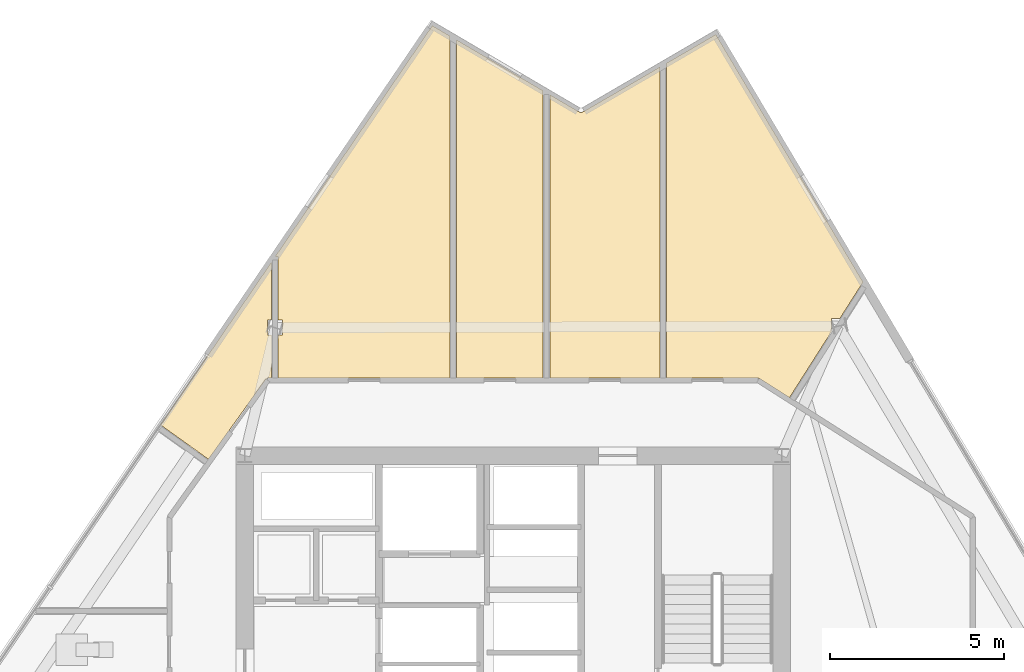
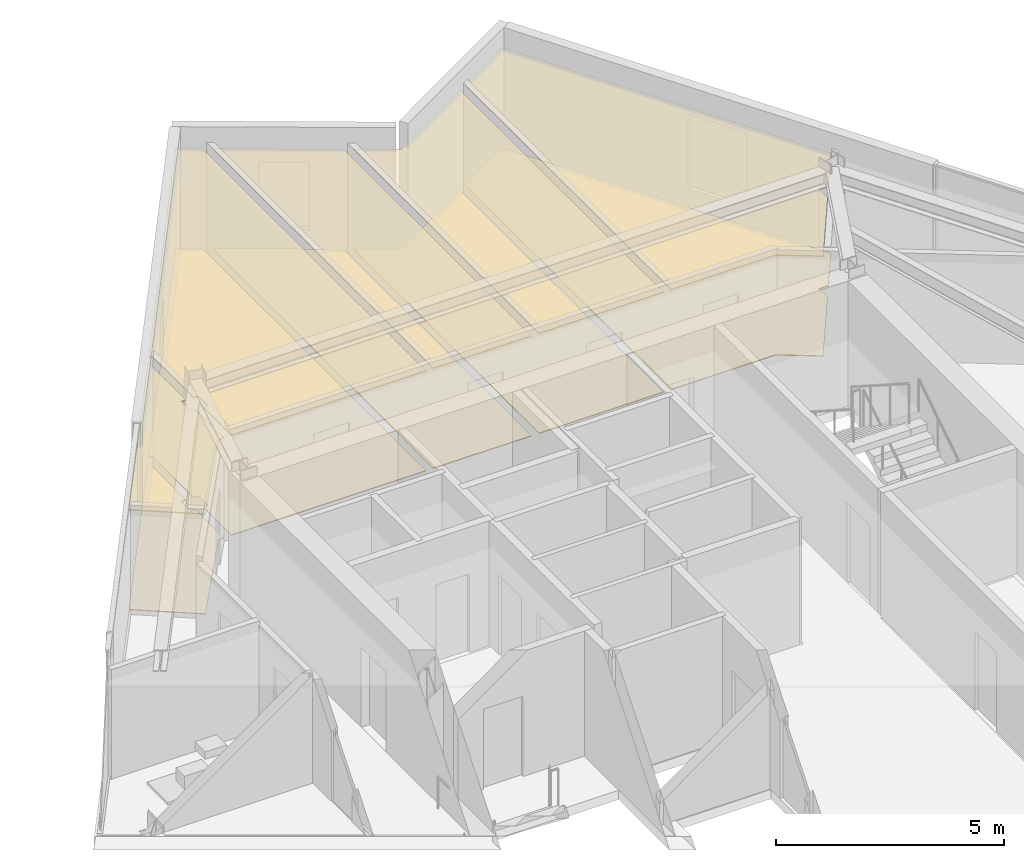
# One storey, part 15 of 16: 10 coverings.
"""IFC4 building model written with IfcOpenShell, lengths in metres."""

import ifcopenshell
import ifcopenshell.guid

model = None  # the IFC model being written
_history = None  # IfcOwnerHistory: only IFC2X3 demands one
_inside = {}  # id of a spatial element -> (the spatial element, [elements in it])
_under = {}  # id of a project, library or spatial element -> (it, [spatial elements below it])
_declared = {}  # id of a project -> (the project, [libraries it declares])
_typed = {}  # id of a type object -> (the type object, [elements of that type])
_made_of = {}  # id of a material, layer set ... -> (it, [elements and type objects made of it])


def new_model(schema):
    """Start an empty IFC model of exactly this schema.

    Asked for "IFC4X3", IfcOpenShell would pick the latest addendum, in which some entities
    have other attributes; the version numbers below select the first issue.
    IFC2X3 requires an IfcOwnerHistory on every rooted entity: one is made here for all.
    """
    global model, _history
    if schema == "IFC4X3":
        model = ifcopenshell.file(schema_version=(4, 3, 0, 0))
    else:
        model = ifcopenshell.file(schema=schema)
    _inside.clear()
    _under.clear()
    _declared.clear()
    _typed.clear()
    _made_of.clear()
    _history = None
    if model.schema == "IFC2X3":
        org = make("IfcOrganization", Name="unknown")
        user = make(
            "IfcPersonAndOrganization",
            ThePerson=make("IfcPerson", FamilyName="unknown"),
            TheOrganization=org,
        )
        app = make(
            "IfcApplication",
            ApplicationDeveloper=org,
            Version="unknown",
            ApplicationFullName="unknown",
            ApplicationIdentifier="unknown",
        )
        _history = make(
            "IfcOwnerHistory",
            OwningUser=user,
            OwningApplication=app,
            ChangeAction="ADDED",
            CreationDate=0,
        )
    return model


def make(cls, **values):
    """One entity of the class cls with the attributes given. An attribute that is None is left unset."""
    return model.create_entity(
        cls, **{name: value for name, value in values.items() if value is not None}
    )


def rooted(cls, **values):
    """An entity with a GlobalId (a new one), such as an element, a storey or a relation."""
    return make(cls, GlobalId=ifcopenshell.guid.new(), OwnerHistory=_history, **values)


def si_unit(unit_type, name, prefix=None):
    """IfcSIUnit, for example si_unit("LENGTHUNIT", "METRE", prefix="MILLI")."""
    return make("IfcSIUnit", UnitType=unit_type, Prefix=prefix, Name=name)


def assignment(units):
    """IfcUnitAssignment: the units of a project."""
    return None if units is None else make("IfcUnitAssignment", Units=units)


def point(xyz):
    """IfcCartesianPoint."""
    return None if xyz is None else make("IfcCartesianPoint", Coordinates=xyz)


def direction(xyz):
    """IfcDirection."""
    return None if xyz is None else make("IfcDirection", DirectionRatios=xyz)


def frame(location, z_axis=None, x_axis=None):
    """IfcAxis2Placement3D, a coordinate frame: its origin and axes. An axis left out is left unset."""
    return make(
        "IfcAxis2Placement3D",
        Location=point(location),
        Axis=direction(z_axis),
        RefDirection=direction(x_axis),
    )


def origin():
    """The frame at (0, 0, 0) with its axes left unset."""
    return frame((0.0, 0.0, 0.0))


def place(relative_to, where):
    """IfcLocalPlacement: puts the frame where relative to a parent placement (None: the world)."""
    return make(
        "IfcLocalPlacement", PlacementRelTo=relative_to, RelativePlacement=where
    )


def context(
    kind, dimensions, precision=None, world=None, true_north=None, identifier=None
):
    """IfcGeometricRepresentationContext, for example the 3D "Model" context."""
    return make(
        "IfcGeometricRepresentationContext",
        ContextIdentifier=identifier,
        ContextType=kind,
        CoordinateSpaceDimension=dimensions,
        Precision=precision,
        WorldCoordinateSystem=world,
        TrueNorth=true_north,
    )


def subcontext(parent, identifier, kind, view, scale=None):
    """IfcGeometricRepresentationSubContext, for example "Body" below "Model"."""
    return make(
        "IfcGeometricRepresentationSubContext",
        ContextIdentifier=identifier,
        ContextType=kind,
        ParentContext=parent,
        TargetScale=scale,
        TargetView=view,
    )


def project(units=None, contexts=None):
    """IfcProject with its units and contexts."""
    return rooted(
        "IfcProject",
        Name="project",
        RepresentationContexts=contexts,
        UnitsInContext=assignment(units),
    )


def spatial(cls, under=None, at=None, **own):
    """A site, building, storey or space (cls), placed at a placement, below another one or the project."""
    s = rooted(cls, ObjectPlacement=at, **own)
    if under is not None:
        _under.setdefault(under.id(), (under, []))[1].append(s)
    return s


def polyline(points):
    """IfcPolyline through the points."""
    return make("IfcPolyline", Points=[point(p) for p in points])


def outline(outer, holes=None, kind="AREA"):
    """IfcArbitraryClosedProfileDef: a profile drawn as a closed curve; with holes, ...WithVoids."""
    if holes is None:
        return make("IfcArbitraryClosedProfileDef", ProfileType=kind, OuterCurve=outer)
    return make(
        "IfcArbitraryProfileDefWithVoids",
        ProfileType=kind,
        OuterCurve=outer,
        InnerCurves=holes,
    )


def extrude(swept, where, along, depth):
    """IfcExtrudedAreaSolid: the profile swept, set in the frame where, extruded along a direction by depth."""
    return make(
        "IfcExtrudedAreaSolid",
        SweptArea=swept,
        Position=where,
        ExtrudedDirection=direction(along),
        Depth=depth,
    )


def shape(context_of_items, identifier, shape_type, items):
    """IfcShapeRepresentation: the items that make up one representation, for example the "Body"."""
    return make(
        "IfcShapeRepresentation",
        ContextOfItems=context_of_items,
        RepresentationIdentifier=identifier,
        RepresentationType=shape_type,
        Items=items,
    )


def material(Name=None, Category=None):
    """IfcMaterial."""
    return make("IfcMaterial", Name=Name, Category=Category)


def layer(
    of_material, thickness, ventilated=None, Name=None, Category=None, Priority=None
):
    """IfcMaterialLayer: one layer of a wall or slab, of a material (None: an air gap)."""
    return make(
        "IfcMaterialLayer",
        Material=of_material,
        LayerThickness=thickness,
        IsVentilated=ventilated,
        Name=Name,
        Category=Category,
        Priority=Priority,
    )


def layer_set(layers, Name=None):
    """IfcMaterialLayerSet."""
    return make("IfcMaterialLayerSet", MaterialLayers=layers, LayerSetName=Name)


def made_of(thing, what):
    """Note that an element or type object is made of a material, layer set ...; save() writes the relation."""
    if what is not None:
        _made_of.setdefault(what.id(), (what, []))[1].append(thing)
    return thing


def type_object(cls, material=None, **own):
    """A type object (cls), such as IfcWallType, which elements share."""
    return made_of(rooted(cls, **own), material)


def element(
    cls,
    number,
    at=None,
    inside=None,
    cuts=None,
    type_object=None,
    material=None,
    context=None,
    identifier="Body",
    shape_type=None,
    held_by="IfcProductDefinitionShape",
    body=None,
    shapes=None,
    **own,
):
    """One element of the class cls, such as IfcWall. Its Tag is "e" and its number.

    at: its placement. inside: the storey or other place that contains it. cuts: it is an
    opening in that element (IfcRelVoidsElement). A single representation is given by context,
    identifier, shape_type and body (its items); several are given by shapes. held_by: the class
    of the entity that holds the representations. save() writes the other relations.
    """
    e = rooted(cls, Tag="e%d" % number, ObjectPlacement=at, **own)
    if body is not None:
        shapes = [shape(context, identifier, shape_type, body)]
    if shapes is not None:
        e.Representation = make(held_by, Representations=shapes)
    if inside is not None:
        _inside.setdefault(inside.id(), (inside, []))[1].append(e)
    if cuts is not None:
        rooted(
            "IfcRelVoidsElement", RelatingBuildingElement=cuts, RelatedOpeningElement=e
        )
    if type_object is not None:
        _typed.setdefault(type_object.id(), (type_object, []))[1].append(e)
    return made_of(e, material)


def aggregate(whole, parts):
    """IfcRelAggregates: a whole, such as a stair, and the parts it consists of."""
    return rooted("IfcRelAggregates", RelatingObject=whole, RelatedObjects=parts)


def save(model, path):
    """Write the relations noted so far, then the file.

    IfcRelAggregates (storeys below a building ...), IfcRelContainedInSpatialStructure (elements
    in a storey), IfcRelDefinesByType, IfcRelAssociatesMaterial and IfcRelDeclares: one each for
    every whole, place, type object, material and project.
    """
    for whole, parts in _under.values():
        aggregate(whole, parts)
    for where, things in _inside.values():
        rooted(
            "IfcRelContainedInSpatialStructure",
            RelatedElements=things,
            RelatingStructure=where,
        )
    for kind, things in _typed.values():
        rooted("IfcRelDefinesByType", RelatedObjects=things, RelatingType=kind)
    for what, things in _made_of.values():
        rooted("IfcRelAssociatesMaterial", RelatedObjects=things, RelatingMaterial=what)
    for by, libraries in _declared.values():
        rooted("IfcRelDeclares", RelatingContext=by, RelatedDefinitions=libraries)
    model.write(path)


model = new_model("IFC4")

# Units and contexts
model_context = context("Model", 3, precision=1e-05, world=origin(), true_north=direction((0.0, 1.0)))
body_context = subcontext(model_context, "Body", "Model", "MODEL_VIEW")
ifc_project = project(units=[si_unit("LENGTHUNIT", "METRE"), si_unit("AREAUNIT", "SQUARE_METRE"), si_unit("VOLUMEUNIT", "CUBIC_METRE"), si_unit("PLANEANGLEUNIT", "RADIAN"), si_unit("MASSUNIT", "GRAM", prefix="KILO")], contexts=[model_context])

# Site, building, storey
site_placement = place(None, origin())
site = spatial("IfcSite", under=ifc_project, at=site_placement, CompositionType="ELEMENT")
building_placement = place(site_placement, origin())
building = spatial("IfcBuilding", under=site, at=building_placement, Name="Savorim Split Tower", CompositionType="ELEMENT")
storey_placement = place(building_placement, frame((0.0, 0.0, 160.199951171875)))
storey = spatial("IfcBuildingStorey", under=building, at=storey_placement, Name="L42", CompositionType="ELEMENT", Elevation=160.199951171875)

# Coverings
ifc_material_1 = material(Name="Mineral Fibre Acoustic Ceiling")
ifc_layer_1 = layer(ifc_material_1, 0.02490234375)
ifc_layer_set_1 = layer_set([ifc_layer_1], Name="COV-CEIL-25")
covering_type_1 = type_object("IfcCoveringType", Name="COV-CEIL-25", PredefinedType="CEILING", material=ifc_layer_set_1)
covering_1_placement = place(storey_placement, frame((0.0, 0.0, 2.670166015625)))
element("IfcCovering", 1, at=covering_1_placement, inside=storey, type_object=covering_type_1, Name="L42 Quiet Study Room Acoustic Ceiling", PredefinedType="CEILING", context=body_context, shape_type="SweptSolid", body=[
    extrude(outline(polyline([(10.02734375, 15.1689453125), (10.04248046875, 15.1591796875), (5.81005859375, 22.27734375), (4.39306640625, 21.451416015625), (4.39306640625, 12.419921875), (7.0, 12.419921875), (7.01318359375, 12.41943359375), (7.0263671875, 12.41748046875), (7.0390625, 12.414306640625), (7.051513671875, 12.41015625), (7.063720703125, 12.40478515625), (7.0751953125, 12.398193359375), (7.92236328125, 11.859375), (9.131103515625, 13.760009765625), (9.131103515625, 14.129638671875), (9.366455078125, 14.129638671875), (9.976318359375, 15.0888671875), (10.02734375, 15.1689453125)])), origin(), (0.0, 0.0, 1.0), 0.02490234375),
])
covering_2_placement = place(storey_placement, frame((0.0, 0.0, 2.670166015625)))
element("IfcCovering", 2, at=covering_2_placement, inside=storey, type_object=covering_type_1, Name="L42 Quiet Study Room Acoustic Ceiling", PredefinedType="CEILING", context=body_context, shape_type="SweptSolid", body=[
    extrude(outline(polyline([(1.90380859375, 20.049560546875), (1.89306640625, 20.053955078125), (1.8828125, 20.059326171875), (1.048583984375, 20.5498046875), (1.048583984375, 12.419921875), (4.203125, 12.419921875), (4.203125, 21.3408203125), (2.00390625, 20.05908203125), (1.993896484375, 20.0537109375), (1.983154296875, 20.049560546875), (1.971923828125, 20.046142578125), (1.960693359375, 20.0439453125), (1.94921875, 20.04296875), (1.9375, 20.04296875), (1.926025390625, 20.044189453125), (1.914794921875, 20.04638671875), (1.90380859375, 20.049560546875)])), origin(), (0.0, 0.0, 1.0), 0.02490234375),
])
covering_3_placement = place(storey_placement, frame((0.0, 0.0, 2.670166015625)))
element("IfcCovering", 3, at=covering_3_placement, inside=storey, type_object=covering_type_1, Name="L42 Quiet Study Room Acoustic Ceiling", PredefinedType="CEILING", context=body_context, shape_type="SweptSolid", body=[
    extrude(outline(polyline([(-1.6220703125, 12.419921875), (0.8583984375, 12.419921875), (0.8583984375, 20.661376953125), (-1.6220703125, 22.119140625), (-1.6220703125, 12.419921875)])), origin(), (0.0, 0.0, 1.0), 0.02490234375),
])
covering_4_placement = place(storey_placement, frame((0.0, 0.0, 2.670166015625)))
element("IfcCovering", 4, at=covering_4_placement, inside=storey, type_object=covering_type_1, Name="L42 Quiet Study Room Acoustic Ceiling", PredefinedType="CEILING", context=body_context, shape_type="SweptSolid", body=[
    extrude(outline(polyline([(-6.740478515625, 12.419921875), (-1.81201171875, 12.419921875), (-1.81201171875, 22.23095703125), (-2.322021484375, 22.530517578125), (-6.831298828125, 15.90185546875), (-6.740478515625, 15.90185546875), (-6.740478515625, 14.080810546875), (-6.62353515625, 14.080810546875), (-6.62353515625, 13.65380859375), (-6.740478515625, 13.65380859375), (-6.740478515625, 12.419921875)])), origin(), (0.0, 0.0, 1.0), 0.02490234375),
])
covering_5_placement = place(storey_placement, frame((0.0, 0.0, 2.670166015625)))
element("IfcCovering", 5, at=covering_5_placement, inside=storey, type_object=covering_type_1, Name="L42 Quiet Study Room Acoustic Ceiling", PredefinedType="CEILING", context=body_context, shape_type="SweptSolid", body=[
    extrude(outline(polyline([(-7.01318359375, 12.41943359375), (-7.0, 12.419921875), (-6.9306640625, 12.419921875), (-6.9306640625, 13.65380859375), (-7.047607421875, 13.65380859375), (-7.047607421875, 14.080810546875), (-6.9306640625, 14.080810546875), (-6.9306640625, 15.756103515625), (-10.11328125, 11.07763671875), (-8.739013671875, 10.093017578125), (-7.11376953125, 12.361572265625), (-7.105712890625, 12.3720703125), (-7.096435546875, 12.381591796875), (-7.086181640625, 12.39013671875), (-7.075439453125, 12.39794921875), (-7.06396484375, 12.404541015625), (-7.052001953125, 12.409912109375), (-7.039306640625, 12.414306640625), (-7.0263671875, 12.41748046875), (-7.01318359375, 12.41943359375)])), origin(), (0.0, 0.0, 1.0), 0.02490234375),
])
ifc_material_2 = material(Name="Porcelain Stoneware Flooring", Category="masonry")
ifc_layer_2 = layer(ifc_material_2, 0.02001953125)
ifc_layer_set_2 = layer_set([ifc_layer_2], Name="COV-FLOR-20")
covering_type_2 = type_object("IfcCoveringType", Name="COV-FLOR-20", PredefinedType="FLOORING", material=ifc_layer_set_2)
covering_6_placement = place(storey_placement, origin())
element("IfcCovering", 6, at=covering_6_placement, inside=storey, type_object=covering_type_2, Name="L42 Quiet Study Room Porcelain Flooring", PredefinedType="FLOORING", context=body_context, shape_type="SweptSolid", body=[
    extrude(outline(polyline([(10.02734375, 15.1689453125), (10.04248046875, 15.1591796875), (5.81005859375, 22.27734375), (4.39306640625, 21.451416015625), (4.39306640625, 12.419921875), (7.0, 12.419921875), (7.01318359375, 12.41943359375), (7.0263671875, 12.41748046875), (7.0390625, 12.414306640625), (7.051513671875, 12.41015625), (7.063720703125, 12.40478515625), (7.0751953125, 12.398193359375), (7.92236328125, 11.859375), (9.131103515625, 13.760009765625), (9.131103515625, 14.129638671875), (9.366455078125, 14.129638671875), (9.976318359375, 15.0888671875), (10.02734375, 15.1689453125)])), origin(), (0.0, 0.0, 1.0), 0.02001953125),
])
covering_7_placement = place(storey_placement, origin())
element("IfcCovering", 7, at=covering_7_placement, inside=storey, type_object=covering_type_2, Name="L42 Quiet Study Room Porcelain Flooring", PredefinedType="FLOORING", context=body_context, shape_type="SweptSolid", body=[
    extrude(outline(polyline([(1.90380859375, 20.049560546875), (1.89306640625, 20.053955078125), (1.8828125, 20.059326171875), (1.048583984375, 20.5498046875), (1.048583984375, 12.419921875), (4.203125, 12.419921875), (4.203125, 21.3408203125), (2.00390625, 20.05908203125), (1.993896484375, 20.0537109375), (1.983154296875, 20.049560546875), (1.971923828125, 20.046142578125), (1.960693359375, 20.0439453125), (1.94921875, 20.04296875), (1.9375, 20.04296875), (1.926025390625, 20.044189453125), (1.914794921875, 20.04638671875), (1.90380859375, 20.049560546875)])), origin(), (0.0, 0.0, 1.0), 0.02001953125),
])
covering_8_placement = place(storey_placement, origin())
element("IfcCovering", 8, at=covering_8_placement, inside=storey, type_object=covering_type_2, Name="L42 Quiet Study Room Porcelain Flooring", PredefinedType="FLOORING", context=body_context, shape_type="SweptSolid", body=[
    extrude(outline(polyline([(-1.6220703125, 12.419921875), (0.8583984375, 12.419921875), (0.8583984375, 20.661376953125), (-1.6220703125, 22.119140625), (-1.6220703125, 12.419921875)])), origin(), (0.0, 0.0, 1.0), 0.02001953125),
])
covering_9_placement = place(storey_placement, origin())
element("IfcCovering", 9, at=covering_9_placement, inside=storey, type_object=covering_type_2, Name="L42 Quiet Study Room Porcelain Flooring", PredefinedType="FLOORING", context=body_context, shape_type="SweptSolid", body=[
    extrude(outline(polyline([(-6.740478515625, 12.419921875), (-1.81201171875, 12.419921875), (-1.81201171875, 22.23095703125), (-2.322021484375, 22.530517578125), (-6.831298828125, 15.90185546875), (-6.740478515625, 15.90185546875), (-6.740478515625, 14.080810546875), (-6.62353515625, 14.080810546875), (-6.62353515625, 13.65380859375), (-6.740478515625, 13.65380859375), (-6.740478515625, 12.419921875)])), origin(), (0.0, 0.0, 1.0), 0.02001953125),
])
covering_10_placement = place(storey_placement, origin())
element("IfcCovering", 10, at=covering_10_placement, inside=storey, type_object=covering_type_2, Name="L42 Quiet Study Room Porcelain Flooring", PredefinedType="FLOORING", context=body_context, shape_type="SweptSolid", body=[
    extrude(outline(polyline([(-7.01318359375, 12.41943359375), (-7.0, 12.419921875), (-6.9306640625, 12.419921875), (-6.9306640625, 13.65380859375), (-7.047607421875, 13.65380859375), (-7.047607421875, 14.080810546875), (-6.9306640625, 14.080810546875), (-6.9306640625, 15.756103515625), (-10.11328125, 11.07763671875), (-8.739013671875, 10.093017578125), (-7.11376953125, 12.361572265625), (-7.105712890625, 12.3720703125), (-7.096435546875, 12.381591796875), (-7.086181640625, 12.39013671875), (-7.075439453125, 12.39794921875), (-7.06396484375, 12.404541015625), (-7.052001953125, 12.409912109375), (-7.039306640625, 12.414306640625), (-7.0263671875, 12.41748046875), (-7.01318359375, 12.41943359375)])), origin(), (0.0, 0.0, 1.0), 0.02001953125),
])

save(model, "model.ifc")
